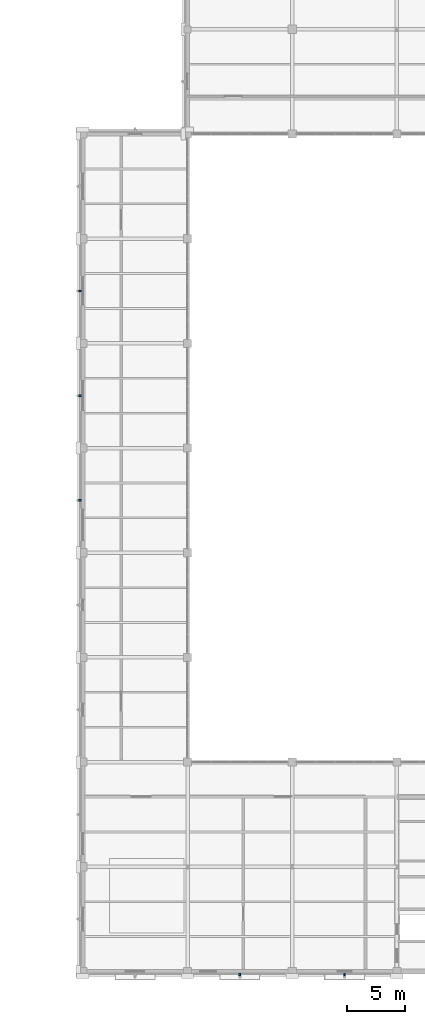
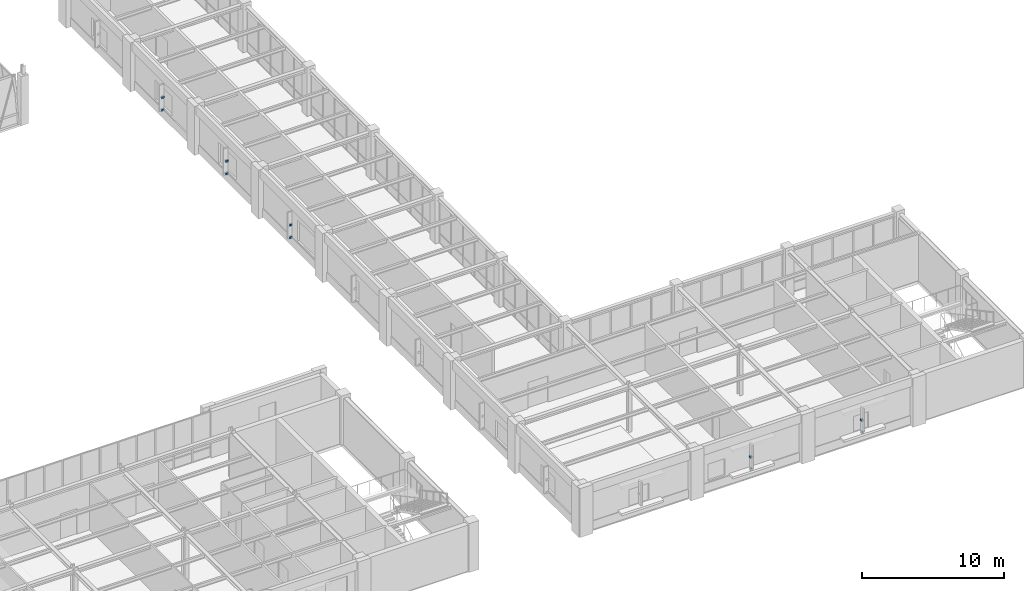
# One storey, part 98 of 108: 10 discrete accessories.
"""IFC4 building model written with IfcOpenShell, lengths in metres."""

from ifc_helpers import new_model, si_unit, direction, frame, origin, origin_2d, place, context, subcontext, project, spatial, rectangle, extrude, material, type_object, element, save


model = new_model("IFC4")

# Units and contexts
model_context = context("Model", 3, precision=1e-05, world=origin(), true_north=direction((0.0, 1.0)))
body_context = subcontext(model_context, "Body", "Model", "MODEL_VIEW")
ifc_project = project(units=[si_unit("LENGTHUNIT", "METRE"), si_unit("AREAUNIT", "SQUARE_METRE"), si_unit("VOLUMEUNIT", "CUBIC_METRE"), si_unit("PLANEANGLEUNIT", "RADIAN"), si_unit("MASSUNIT", "GRAM", prefix="KILO")], contexts=[model_context])

# Site, building, storey
site_placement = place(None, origin())
site = spatial("IfcSite", under=ifc_project, at=site_placement, CompositionType="ELEMENT")
building_placement = place(site_placement, origin())
building = spatial("IfcBuilding", under=site, at=building_placement, Name="Lykobir Media Centre", CompositionType="ELEMENT")
storey_placement = place(building_placement, frame((0.0, 0.0, 15.0)))
storey = spatial("IfcBuildingStorey", under=building, at=storey_placement, Name="L03", CompositionType="ELEMENT", Elevation=15.0)

# Discrete accessories
ifc_material = material(Name="Steel S355", Category="steel")
discrete_accessory_type = type_object("IfcDiscreteAccessoryType", Name="ACC-BRK", PredefinedType="BRACKET", material=ifc_material)
for number, where, z_axis, x_axis, name in (
    (1, (89.739990234375, 40.5, 0.7001953125), (0.0, 0.0, 1.0), (0.0, -1.0, 0.0), "Cumba corbel bracket 73"),
    (2, (89.739990234375, 40.5, 1.77001953125), (0.0, 0.0, 1.0), (0.0, -1.0, 0.0), "Shading fin bracket 74"),
    (3, (89.739990234375, 49.5, 0.7001953125), (0.0, 0.0, 1.0), (0.0, -1.0, 0.0), "Cumba corbel bracket 75"),
    (4, (89.739990234375, 49.5, 1.77001953125), (0.0, 0.0, 1.0), (0.0, -1.0, 0.0), "Shading fin bracket 76"),
    (5, (89.739990234375, 58.5, 0.7001953125), (0.0, 0.0, 1.0), (0.0, -1.0, 0.0), "Cumba corbel bracket 77"),
    (6, (89.739990234375, 58.5, 1.77001953125), (0.0, 0.0, 1.0), (0.0, -1.0, 0.0), "Shading fin bracket 78"),
    (7, (103.5, -0.260009765625, 0.7001953125), (0.0, 0.0, 1.0), (1.0, 0.0, 0.0), "Cumba corbel bracket 87"),
    (8, (103.5, -0.260009765625, 1.77001953125), (0.0, 0.0, 1.0), (1.0, 0.0, 0.0), "Shading fin bracket 88"),
    (9, (112.5, -0.260009765625, 0.7001953125), (0.0, 0.0, 1.0), (1.0, 0.0, 0.0), "Cumba corbel bracket 89"),
    (10, (112.5, -0.260009765625, 1.77001953125), (0.0, 0.0, 1.0), (1.0, 0.0, 0.0), "Shading fin bracket 90"),
):
    element("IfcDiscreteAccessory", number, at=place(storey_placement, frame(where, z_axis=z_axis, x_axis=x_axis)), inside=storey, type_object=discrete_accessory_type, Name=name, PredefinedType="BRACKET", context=body_context, shape_type="SweptSolid", body=[
        extrude(rectangle(XDim=0.159912109375, YDim=0.219970703125, at=origin_2d()), origin(), (0.0, 0.0, 1.0), 0.159912109375),
    ])

save(model, "model.ifc")
